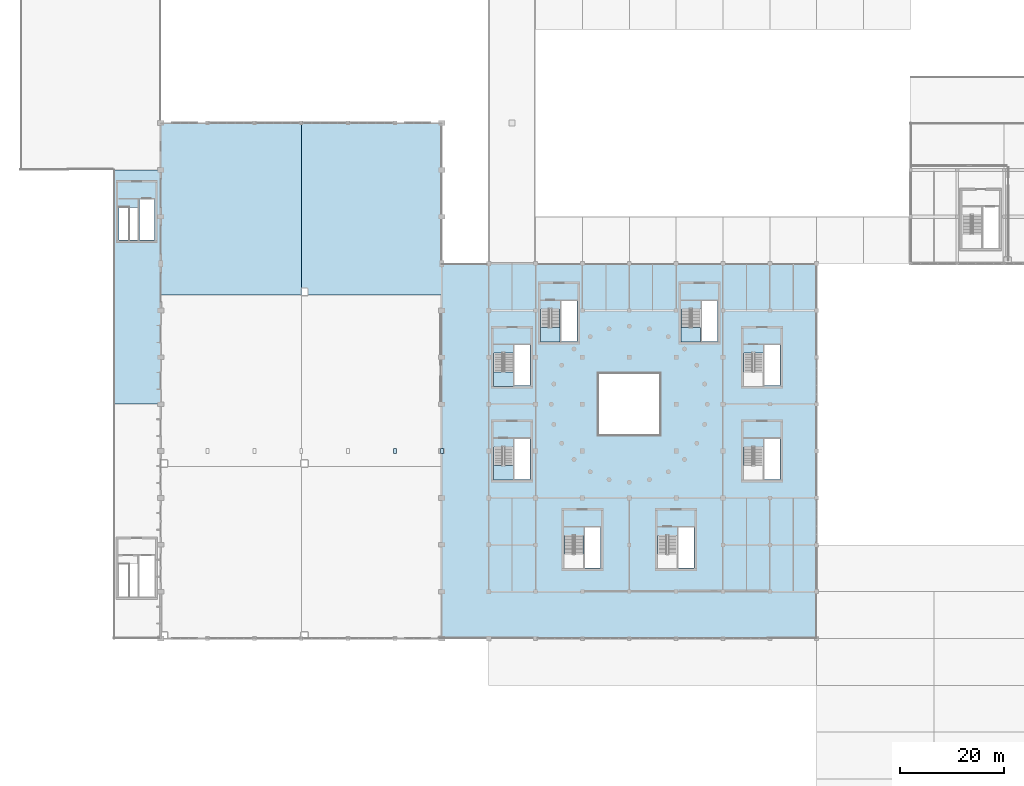
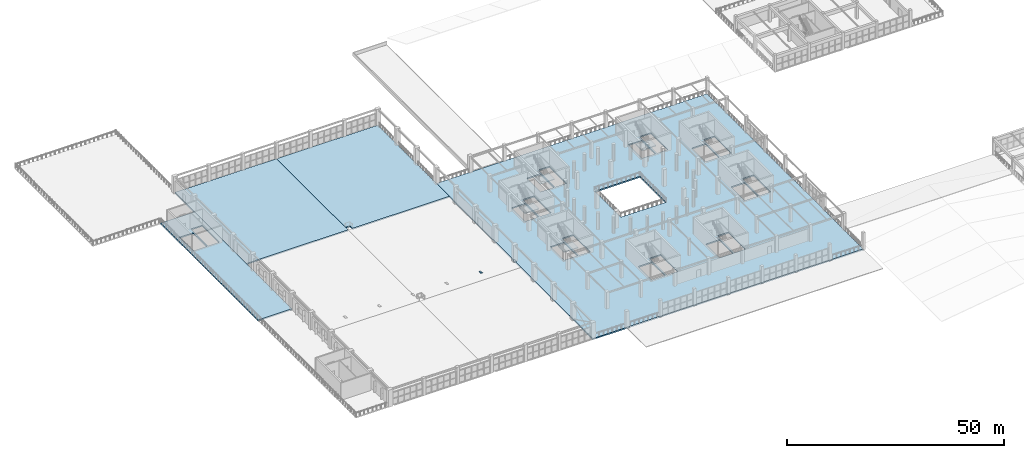
# One storey, part 53 of 89: 8 slabs, 2 plates, 4 elements without a shape of their own.
"""IFC4 building model written with IfcOpenShell, lengths in metres."""

import ifcopenshell
import ifcopenshell.guid

model = None  # the IFC model being written
_history = None  # IfcOwnerHistory: only IFC2X3 demands one
_inside = {}  # id of a spatial element -> (the spatial element, [elements in it])
_under = {}  # id of a project, library or spatial element -> (it, [spatial elements below it])
_declared = {}  # id of a project -> (the project, [libraries it declares])
_typed = {}  # id of a type object -> (the type object, [elements of that type])
_made_of = {}  # id of a material, layer set ... -> (it, [elements and type objects made of it])


def new_model(schema):
    """Start an empty IFC model of exactly this schema.

    Asked for "IFC4X3", IfcOpenShell would pick the latest addendum, in which some entities
    have other attributes; the version numbers below select the first issue.
    IFC2X3 requires an IfcOwnerHistory on every rooted entity: one is made here for all.
    """
    global model, _history
    if schema == "IFC4X3":
        model = ifcopenshell.file(schema_version=(4, 3, 0, 0))
    else:
        model = ifcopenshell.file(schema=schema)
    _inside.clear()
    _under.clear()
    _declared.clear()
    _typed.clear()
    _made_of.clear()
    _history = None
    if model.schema == "IFC2X3":
        org = make("IfcOrganization", Name="unknown")
        user = make(
            "IfcPersonAndOrganization",
            ThePerson=make("IfcPerson", FamilyName="unknown"),
            TheOrganization=org,
        )
        app = make(
            "IfcApplication",
            ApplicationDeveloper=org,
            Version="unknown",
            ApplicationFullName="unknown",
            ApplicationIdentifier="unknown",
        )
        _history = make(
            "IfcOwnerHistory",
            OwningUser=user,
            OwningApplication=app,
            ChangeAction="ADDED",
            CreationDate=0,
        )
    return model


def make(cls, **values):
    """One entity of the class cls with the attributes given. An attribute that is None is left unset."""
    return model.create_entity(
        cls, **{name: value for name, value in values.items() if value is not None}
    )


def rooted(cls, **values):
    """An entity with a GlobalId (a new one), such as an element, a storey or a relation."""
    return make(cls, GlobalId=ifcopenshell.guid.new(), OwnerHistory=_history, **values)


def si_unit(unit_type, name, prefix=None):
    """IfcSIUnit, for example si_unit("LENGTHUNIT", "METRE", prefix="MILLI")."""
    return make("IfcSIUnit", UnitType=unit_type, Prefix=prefix, Name=name)


def assignment(units):
    """IfcUnitAssignment: the units of a project."""
    return None if units is None else make("IfcUnitAssignment", Units=units)


def point(xyz):
    """IfcCartesianPoint."""
    return None if xyz is None else make("IfcCartesianPoint", Coordinates=xyz)


def direction(xyz):
    """IfcDirection."""
    return None if xyz is None else make("IfcDirection", DirectionRatios=xyz)


def frame(location, z_axis=None, x_axis=None):
    """IfcAxis2Placement3D, a coordinate frame: its origin and axes. An axis left out is left unset."""
    return make(
        "IfcAxis2Placement3D",
        Location=point(location),
        Axis=direction(z_axis),
        RefDirection=direction(x_axis),
    )


def frame_2d(location, x_axis=None):
    """IfcAxis2Placement2D, a coordinate frame in the plane: its origin and x axis."""
    return make(
        "IfcAxis2Placement2D", Location=point(location), RefDirection=direction(x_axis)
    )


def origin():
    """The frame at (0, 0, 0) with its axes left unset."""
    return frame((0.0, 0.0, 0.0))


def origin_2d():
    """The frame at (0, 0) in the plane with its x axis left unset."""
    return frame_2d((0.0, 0.0))


def place(relative_to, where):
    """IfcLocalPlacement: puts the frame where relative to a parent placement (None: the world)."""
    return make(
        "IfcLocalPlacement", PlacementRelTo=relative_to, RelativePlacement=where
    )


def context(
    kind, dimensions, precision=None, world=None, true_north=None, identifier=None
):
    """IfcGeometricRepresentationContext, for example the 3D "Model" context."""
    return make(
        "IfcGeometricRepresentationContext",
        ContextIdentifier=identifier,
        ContextType=kind,
        CoordinateSpaceDimension=dimensions,
        Precision=precision,
        WorldCoordinateSystem=world,
        TrueNorth=true_north,
    )


def subcontext(parent, identifier, kind, view, scale=None):
    """IfcGeometricRepresentationSubContext, for example "Body" below "Model"."""
    return make(
        "IfcGeometricRepresentationSubContext",
        ContextIdentifier=identifier,
        ContextType=kind,
        ParentContext=parent,
        TargetScale=scale,
        TargetView=view,
    )


def project(units=None, contexts=None):
    """IfcProject with its units and contexts."""
    return rooted(
        "IfcProject",
        Name="project",
        RepresentationContexts=contexts,
        UnitsInContext=assignment(units),
    )


def spatial(cls, under=None, at=None, **own):
    """A site, building, storey or space (cls), placed at a placement, below another one or the project."""
    s = rooted(cls, ObjectPlacement=at, **own)
    if under is not None:
        _under.setdefault(under.id(), (under, []))[1].append(s)
    return s


def polyline(points):
    """IfcPolyline through the points."""
    return make("IfcPolyline", Points=[point(p) for p in points])


def profile(cls, at=None, kind="AREA", **sizes):
    """A parametric profile (cls). Its sizes go by their IFC names, for example OverallWidth=200.0."""
    return make(cls, ProfileType=kind, Position=at, **sizes)


def rectangle(**sizes):
    """IfcRectangleProfileDef."""
    return profile("IfcRectangleProfileDef", **sizes)


def outline(outer, holes=None, kind="AREA"):
    """IfcArbitraryClosedProfileDef: a profile drawn as a closed curve; with holes, ...WithVoids."""
    if holes is None:
        return make("IfcArbitraryClosedProfileDef", ProfileType=kind, OuterCurve=outer)
    return make(
        "IfcArbitraryProfileDefWithVoids",
        ProfileType=kind,
        OuterCurve=outer,
        InnerCurves=holes,
    )


def extrude(swept, where, along, depth):
    """IfcExtrudedAreaSolid: the profile swept, set in the frame where, extruded along a direction by depth."""
    return make(
        "IfcExtrudedAreaSolid",
        SweptArea=swept,
        Position=where,
        ExtrudedDirection=direction(along),
        Depth=depth,
    )


def shape(context_of_items, identifier, shape_type, items):
    """IfcShapeRepresentation: the items that make up one representation, for example the "Body"."""
    return make(
        "IfcShapeRepresentation",
        ContextOfItems=context_of_items,
        RepresentationIdentifier=identifier,
        RepresentationType=shape_type,
        Items=items,
    )


def material(Name=None, Category=None):
    """IfcMaterial."""
    return make("IfcMaterial", Name=Name, Category=Category)


def layer(
    of_material, thickness, ventilated=None, Name=None, Category=None, Priority=None
):
    """IfcMaterialLayer: one layer of a wall or slab, of a material (None: an air gap)."""
    return make(
        "IfcMaterialLayer",
        Material=of_material,
        LayerThickness=thickness,
        IsVentilated=ventilated,
        Name=Name,
        Category=Category,
        Priority=Priority,
    )


def layer_set(layers, Name=None):
    """IfcMaterialLayerSet."""
    return make("IfcMaterialLayerSet", MaterialLayers=layers, LayerSetName=Name)


def made_of(thing, what):
    """Note that an element or type object is made of a material, layer set ...; save() writes the relation."""
    if what is not None:
        _made_of.setdefault(what.id(), (what, []))[1].append(thing)
    return thing


def type_object(cls, material=None, **own):
    """A type object (cls), such as IfcWallType, which elements share."""
    return made_of(rooted(cls, **own), material)


def element(
    cls,
    number,
    at=None,
    inside=None,
    cuts=None,
    type_object=None,
    material=None,
    context=None,
    identifier="Body",
    shape_type=None,
    held_by="IfcProductDefinitionShape",
    body=None,
    shapes=None,
    **own,
):
    """One element of the class cls, such as IfcWall. Its Tag is "e" and its number.

    at: its placement. inside: the storey or other place that contains it. cuts: it is an
    opening in that element (IfcRelVoidsElement). A single representation is given by context,
    identifier, shape_type and body (its items); several are given by shapes. held_by: the class
    of the entity that holds the representations. save() writes the other relations.
    """
    e = rooted(cls, Tag="e%d" % number, ObjectPlacement=at, **own)
    if body is not None:
        shapes = [shape(context, identifier, shape_type, body)]
    if shapes is not None:
        e.Representation = make(held_by, Representations=shapes)
    if inside is not None:
        _inside.setdefault(inside.id(), (inside, []))[1].append(e)
    if cuts is not None:
        rooted(
            "IfcRelVoidsElement", RelatingBuildingElement=cuts, RelatedOpeningElement=e
        )
    if type_object is not None:
        _typed.setdefault(type_object.id(), (type_object, []))[1].append(e)
    return made_of(e, material)


def aggregate(whole, parts):
    """IfcRelAggregates: a whole, such as a stair, and the parts it consists of."""
    return rooted("IfcRelAggregates", RelatingObject=whole, RelatedObjects=parts)


def save(model, path):
    """Write the relations noted so far, then the file.

    IfcRelAggregates (storeys below a building ...), IfcRelContainedInSpatialStructure (elements
    in a storey), IfcRelDefinesByType, IfcRelAssociatesMaterial and IfcRelDeclares: one each for
    every whole, place, type object, material and project.
    """
    for whole, parts in _under.values():
        aggregate(whole, parts)
    for where, things in _inside.values():
        rooted(
            "IfcRelContainedInSpatialStructure",
            RelatedElements=things,
            RelatingStructure=where,
        )
    for kind, things in _typed.values():
        rooted("IfcRelDefinesByType", RelatedObjects=things, RelatingType=kind)
    for what, things in _made_of.values():
        rooted("IfcRelAssociatesMaterial", RelatedObjects=things, RelatingMaterial=what)
    for by, libraries in _declared.values():
        rooted("IfcRelDeclares", RelatingContext=by, RelatedDefinitions=libraries)
    model.write(path)


model = new_model("IFC4")

# Units and contexts
model_context = context("Model", 3, precision=1e-05, world=origin(), true_north=direction((0.0, 1.0)))
body_context = subcontext(model_context, "Body", "Model", "MODEL_VIEW")
ifc_project = project(units=[si_unit("LENGTHUNIT", "METRE"), si_unit("AREAUNIT", "SQUARE_METRE"), si_unit("VOLUMEUNIT", "CUBIC_METRE"), si_unit("PLANEANGLEUNIT", "RADIAN"), si_unit("MASSUNIT", "GRAM", prefix="KILO")], contexts=[model_context])

# Site, building, storey
site_placement = place(None, origin())
site = spatial("IfcSite", under=ifc_project, at=site_placement, CompositionType="ELEMENT")
building_placement = place(site_placement, origin())
building = spatial("IfcBuilding", under=site, at=building_placement, Name="Dornveld Trade and Exhibition Forum", CompositionType="ELEMENT")
storey_placement = place(building_placement, frame((0.0, 0.0, 12.0)))
storey = spatial("IfcBuildingStorey", under=building, at=storey_placement, Name="L02", CompositionType="ELEMENT", Elevation=12.0)

# Plates
ifc_material_1 = material(Name="Steel S355J2", Category="steel")
ifc_layer_1 = layer(ifc_material_1, 0.02392578125)
ifc_layer_set_1 = layer_set([ifc_layer_1], Name="Steel S355J2")
plate_type = type_object("IfcPlateType", Name="PL-TRENCH-900", PredefinedType="SHEET", material=ifc_layer_set_1)
for number, where, z_axis, x_axis, name in (
    (1, (72.0, 72.0, -0.02392578125), (0.0, 0.0, 1.0), (0.0, 1.0, 0.0), "Hall 3 heavy utility trench cover 5"),
    (2, (81.0, 72.0, -0.02392578125), (0.0, 0.0, 1.0), (0.0, 1.0, 0.0), "Hall 3 heavy utility trench cover 6"),
):
    element("IfcPlate", number, at=place(storey_placement, frame(where, z_axis=z_axis, x_axis=x_axis)), inside=storey, type_object=plate_type, Name=name, PredefinedType="SHEET", context=body_context, shape_type="SweptSolid", body=[
        extrude(rectangle(XDim=0.89990234375, YDim=0.550048828125, at=origin_2d()), origin(), (0.0, 0.0, 1.0), 0.02392578125),
    ])

# Slabs
ifc_material_2 = material(Name="Precast concrete C50/60", Category="concrete")
ifc_layer_2 = layer(ifc_material_2, 0.35009765625)
ifc_layer_set_2 = layer_set([ifc_layer_2], Name="Precast concrete C50/60")
slab_type_1 = type_object("IfcSlabType", Name="SL-APRON-350", PredefinedType="FLOOR", material=ifc_layer_set_2)
slab_1_placement = place(storey_placement, frame((0.0, 0.0, -0.35009765625)))
element("IfcSlab", 3, at=slab_1_placement, inside=storey, type_object=slab_type_1, Name="L02 structural slab panel 61", PredefinedType="FLOOR", context=body_context, shape_type="SweptSolid", body=[
    extrude(outline(polyline([(18.0, 81.0), (27.0, 81.0), (27.0, 126.0), (18.0, 126.0), (18.0, 81.0)]), holes=[polyline([(18.949951171875, 112.550048828125), (22.550048828125, 112.550048828125), (22.550048828125, 118.830078125), (18.949951171875, 118.830078125), (18.949951171875, 112.550048828125)]), polyline([(22.89990234375, 112.550048828125), (25.85009765625, 112.550048828125), (25.85009765625, 120.39990234375), (22.89990234375, 120.39990234375), (22.89990234375, 112.550048828125)])]), origin(), (0.0, 0.0, 1.0), 0.35009765625),
])
ifc_material_3 = material(Name="Precast concrete C50/60", Category="concrete")
ifc_layer_3 = layer(ifc_material_3, 0.300048828125)
ifc_layer_set_3 = layer_set([ifc_layer_3], Name="Precast concrete C50/60")
slab_type_2 = type_object("IfcSlabType", Name="SL-CONC-300", PredefinedType="FLOOR", material=ifc_layer_set_3)
slab_2_placement = place(storey_placement, frame((0.0, 0.0, -0.360107421875)))
element("IfcSlab", 4, at=slab_2_placement, inside=storey, type_object=slab_type_2, Name="L02 structural slab panel 62", PredefinedType="FLOOR", context=body_context, shape_type="SweptSolid", body=[
    extrude(outline(polyline([(81.0, 36.0), (153.0, 36.0), (153.0, 108.0), (81.0, 108.0), (81.0, 36.0)]), holes=[polyline([(139.050048828125, 84.550048828125), (142.64990234375, 84.550048828125), (142.64990234375, 90.830078125), (139.050048828125, 90.830078125), (139.050048828125, 84.550048828125)]), polyline([(143.0, 84.550048828125), (145.949951171875, 84.550048828125), (145.949951171875, 92.39990234375), (143.0, 92.39990234375), (143.0, 84.550048828125)]), polyline([(127.050048828125, 93.050048828125), (130.64990234375, 93.050048828125), (130.64990234375, 99.330078125), (127.050048828125, 99.330078125), (127.050048828125, 93.050048828125)]), polyline([(131.0, 93.050048828125), (133.949951171875, 93.050048828125), (133.949951171875, 100.89990234375), (131.0, 100.89990234375), (131.0, 93.050048828125)]), polyline([(100.050048828125, 93.050048828125), (103.64990234375, 93.050048828125), (103.64990234375, 99.330078125), (100.050048828125, 99.330078125), (100.050048828125, 93.050048828125)]), polyline([(104.0, 93.050048828125), (106.949951171875, 93.050048828125), (106.949951171875, 100.89990234375), (104.0, 100.89990234375), (104.0, 93.050048828125)]), polyline([(91.050048828125, 84.550048828125), (94.64990234375, 84.550048828125), (94.64990234375, 90.830078125), (91.050048828125, 90.830078125), (91.050048828125, 84.550048828125)]), polyline([(95.0, 84.550048828125), (97.949951171875, 84.550048828125), (97.949951171875, 92.39990234375), (95.0, 92.39990234375), (95.0, 84.550048828125)]), polyline([(91.050048828125, 66.550048828125), (94.64990234375, 66.550048828125), (94.64990234375, 72.830078125), (91.050048828125, 72.830078125), (91.050048828125, 66.550048828125)]), polyline([(95.0, 66.550048828125), (97.949951171875, 66.550048828125), (97.949951171875, 74.39990234375), (95.0, 74.39990234375), (95.0, 66.550048828125)]), polyline([(104.550048828125, 49.550048828125), (108.14990234375, 49.550048828125), (108.14990234375, 55.830078125), (104.550048828125, 55.830078125), (104.550048828125, 49.550048828125)]), polyline([(108.5, 49.550048828125), (111.449951171875, 49.550048828125), (111.449951171875, 57.39990234375), (108.5, 57.39990234375), (108.5, 49.550048828125)]), polyline([(122.550048828125, 49.550048828125), (126.14990234375, 49.550048828125), (126.14990234375, 55.830078125), (122.550048828125, 55.830078125), (122.550048828125, 49.550048828125)]), polyline([(126.5, 49.550048828125), (129.449951171875, 49.550048828125), (129.449951171875, 57.39990234375), (126.5, 57.39990234375), (126.5, 49.550048828125)]), polyline([(139.050048828125, 66.550048828125), (142.64990234375, 66.550048828125), (142.64990234375, 72.830078125), (139.050048828125, 72.830078125), (139.050048828125, 66.550048828125)]), polyline([(143.0, 66.550048828125), (145.949951171875, 66.550048828125), (145.949951171875, 74.39990234375), (143.0, 74.39990234375), (143.0, 66.550048828125)]), polyline([(111.0, 75.0), (123.0, 75.0), (123.0, 87.0), (111.0, 87.0), (111.0, 75.0)])]), origin(), (0.0, 0.0, 1.0), 0.360107421875),
])

# Stair, slab
ifc_material_4 = material(Name="Concrete C40/50", Category="concrete")
stair_type_1 = type_object("IfcStairType", Name="ST-2RET-480A", PredefinedType="HALF_TURN_STAIR", material=ifc_material_4)
stair_1_placement = place(storey_placement, origin())
stair_1 = element("IfcStair", 5, at=stair_1_placement, inside=storey, type_object=stair_type_1, Name="CORE-03 escape stair L02 to L03", PredefinedType="HALF_TURN_STAIR")
ifc_material_5 = material(Name="Concrete C40/50", Category="concrete")
ifc_layer_4 = layer(ifc_material_5, 0.199951171875)
ifc_layer_set_4 = layer_set([ifc_layer_4], Name="Concrete C40/50")
slab_type_3 = type_object("IfcSlabType", Name="SL-LAND-200", PredefinedType="LANDING", material=ifc_layer_set_4)
slab_3_placement = place(storey_placement, frame((0.0, 0.0, 2.199951171875)))
slab_3 = element("IfcSlab", 6, at=slab_3_placement, type_object=slab_type_3, Name="ST-03-L02 landing 1", PredefinedType="LANDING", context=body_context, shape_type="SweptSolid", body=[
    extrude(outline(polyline([(99.925048828125, 92.925048828125), (103.719970703125, 92.925048828125), (103.719970703125, 95.735107421875), (99.925048828125, 95.735107421875), (99.925048828125, 92.925048828125)])), origin(), (0.0, 0.0, 1.0), 0.199951171875),
])
aggregate(stair_1, [slab_3])

stair_2_placement = place(storey_placement, origin())
stair_2 = element("IfcStair", 7, at=stair_2_placement, inside=storey, type_object=stair_type_1, Name="CORE-05 escape stair L02 to L03", PredefinedType="HALF_TURN_STAIR")
slab_4_placement = place(storey_placement, frame((0.0, 0.0, 2.199951171875)))
slab_4 = element("IfcSlab", 8, at=slab_4_placement, type_object=slab_type_3, Name="ST-05-L02 landing 1", PredefinedType="LANDING", context=body_context, shape_type="SweptSolid", body=[
    extrude(outline(polyline([(90.925048828125, 66.425048828125), (94.719970703125, 66.425048828125), (94.719970703125, 69.235107421875), (90.925048828125, 69.235107421875), (90.925048828125, 66.425048828125)])), origin(), (0.0, 0.0, 1.0), 0.199951171875),
])
aggregate(stair_2, [slab_4])

ifc_material_6 = material(Name="Concrete C40/50", Category="concrete")
stair_type_2 = type_object("IfcStairType", Name="ST-2RET-480B", PredefinedType="HALF_TURN_STAIR", material=ifc_material_6)
stair_3_placement = place(storey_placement, origin())
stair_3 = element("IfcStair", 9, at=stair_3_placement, inside=storey, type_object=stair_type_2, Name="CORE-02 escape stair L02 to L03", PredefinedType="HALF_TURN_STAIR")
ifc_material_7 = material(Name="Concrete C40/50", Category="concrete")
ifc_layer_5 = layer(ifc_material_7, 0.219970703125)
ifc_layer_set_5 = layer_set([ifc_layer_5], Name="Concrete C40/50")
slab_type_4 = type_object("IfcSlabType", Name="SL-LAND-220", PredefinedType="LANDING", material=ifc_layer_set_5)
slab_5_placement = place(storey_placement, frame((0.0, 0.0, 2.179931640625)))
slab_5 = element("IfcSlab", 10, at=slab_5_placement, type_object=slab_type_4, Name="ST-02-L02 landing 1", PredefinedType="LANDING", context=body_context, shape_type="SweptSolid", body=[
    extrude(outline(polyline([(126.925048828125, 92.925048828125), (130.719970703125, 92.925048828125), (130.719970703125, 95.735107421875), (126.925048828125, 95.735107421875), (126.925048828125, 92.925048828125)])), origin(), (0.0, 0.0, 1.0), 0.219970703125),
])
aggregate(stair_3, [slab_5])

stair_4_placement = place(storey_placement, origin())
stair_4 = element("IfcStair", 11, at=stair_4_placement, inside=storey, type_object=stair_type_2, Name="CORE-04 escape stair L02 to L03", PredefinedType="HALF_TURN_STAIR")
slab_6_placement = place(storey_placement, frame((0.0, 0.0, 2.179931640625)))
slab_6 = element("IfcSlab", 12, at=slab_6_placement, type_object=slab_type_4, Name="ST-04-L02 landing 1", PredefinedType="LANDING", context=body_context, shape_type="SweptSolid", body=[
    extrude(outline(polyline([(90.925048828125, 84.425048828125), (94.719970703125, 84.425048828125), (94.719970703125, 87.235107421875), (90.925048828125, 87.235107421875), (90.925048828125, 84.425048828125)])), origin(), (0.0, 0.0, 1.0), 0.219970703125),
])
aggregate(stair_4, [slab_6])

# Slabs
ifc_material_8 = material(Name="Precast concrete C50/60", Category="concrete")
ifc_layer_6 = layer(ifc_material_8, 0.360107421875)
ifc_layer_set_6 = layer_set([ifc_layer_6], Name="Precast concrete C50/60")
slab_type_5 = type_object("IfcSlabType", Name="SL-UPPER-360", PredefinedType="FLOOR", material=ifc_layer_set_6)
slab_7_placement = place(storey_placement, frame((0.0, 0.0, -0.360107421875)))
element("IfcSlab", 13, at=slab_7_placement, inside=storey, type_object=slab_type_5, Name="L02 structural slab panel 55", PredefinedType="FLOOR", context=body_context, shape_type="SweptSolid", body=[
    extrude(outline(polyline([(27.0, 102.0), (54.0, 102.0), (54.0, 135.0), (27.0, 135.0), (27.0, 102.0)])), origin(), (0.0, 0.0, 1.0), 0.360107421875),
])
slab_8_placement = place(storey_placement, frame((0.0, 0.0, -0.360107421875)))
element("IfcSlab", 14, at=slab_8_placement, inside=storey, type_object=slab_type_5, Name="L02 structural slab panel 58", PredefinedType="FLOOR", context=body_context, shape_type="SweptSolid", body=[
    extrude(outline(polyline([(55.199951171875, 102.0), (81.0, 102.0), (81.0, 135.0), (54.0, 135.0), (54.0, 103.199951171875), (55.199951171875, 103.199951171875), (55.199951171875, 102.0)])), origin(), (0.0, 0.0, 1.0), 0.360107421875),
])

save(model, "model.ifc")
